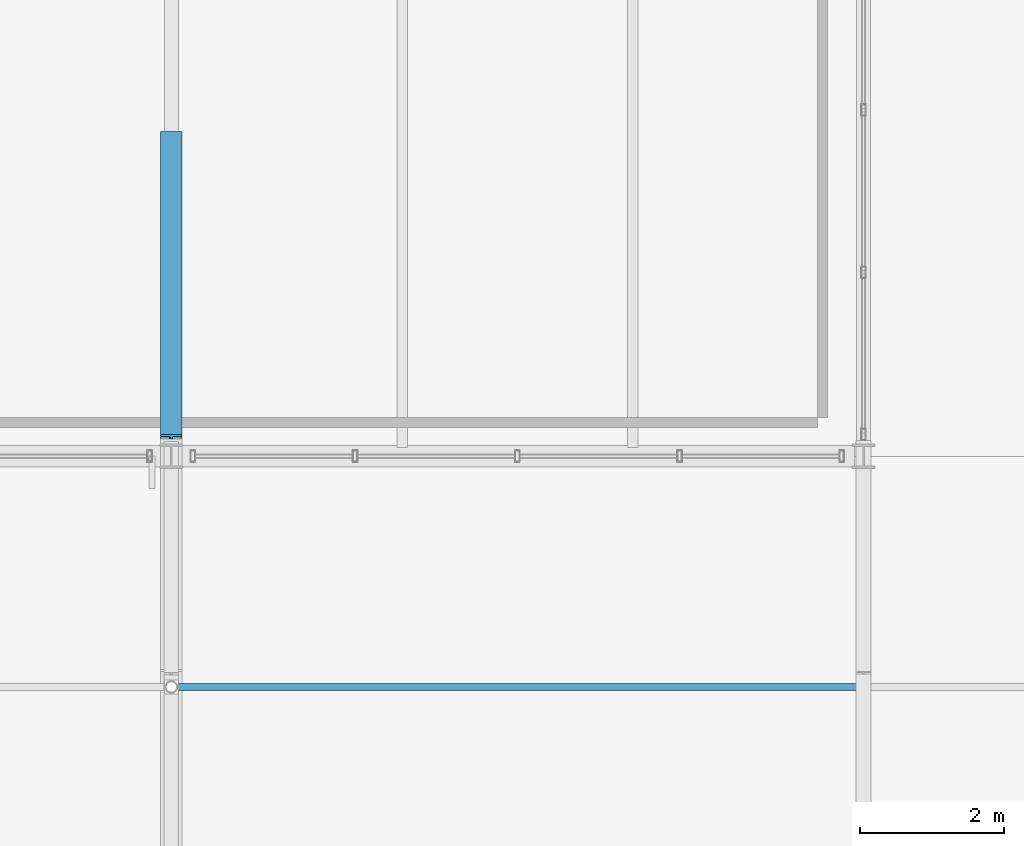
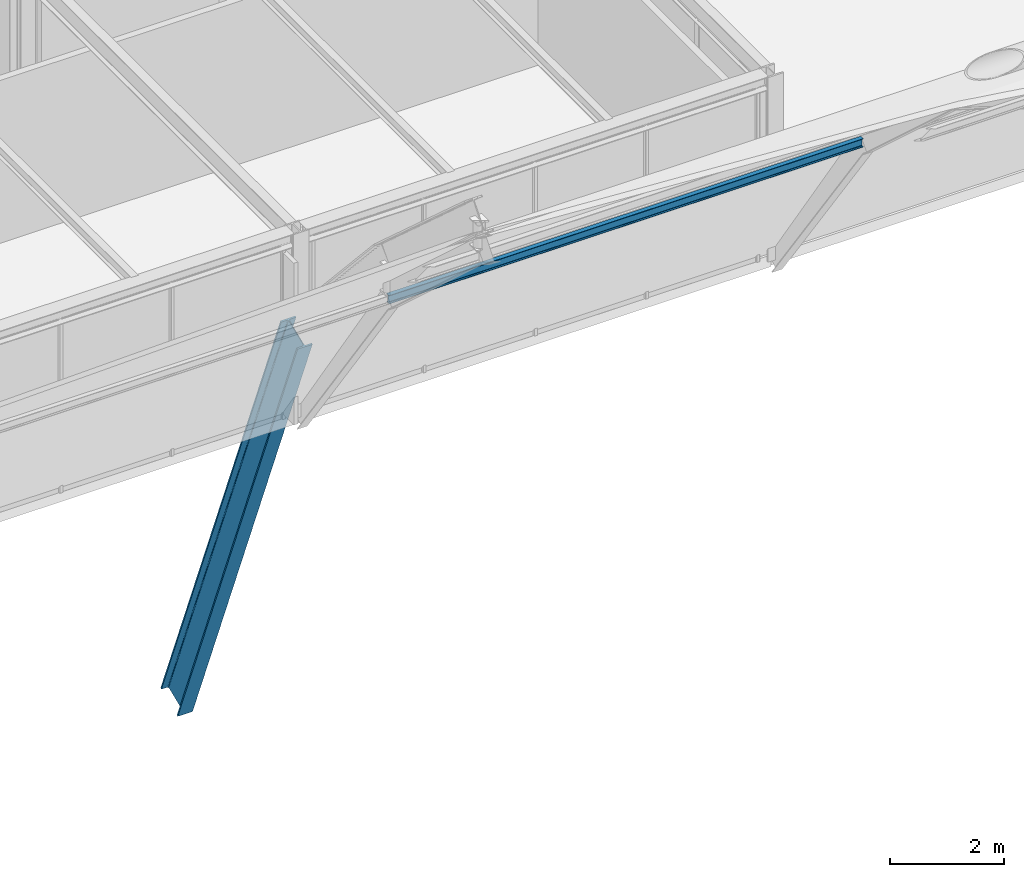
# One storey, part 83 of 126: 1 beam, 1 member.
"""IFC4 building model written with IfcOpenShell, lengths in metres."""

from ifc_helpers import new_model, si_unit, direction, frame, origin, origin_2d, place, context, subcontext, project, spatial, i_section, extrude, material, material_profile, profile_set, type_object, element, save


model = new_model("IFC4")

# Units and contexts
model_context = context("Model", 3, precision=1e-05, world=origin(), true_north=direction((0.0, 1.0)))
body_context = subcontext(model_context, "Body", "Model", "MODEL_VIEW")
ifc_project = project(units=[si_unit("LENGTHUNIT", "METRE"), si_unit("AREAUNIT", "SQUARE_METRE"), si_unit("VOLUMEUNIT", "CUBIC_METRE"), si_unit("PLANEANGLEUNIT", "RADIAN"), si_unit("MASSUNIT", "GRAM", prefix="KILO")], contexts=[model_context])

# Site, building, storey
site_placement = place(None, origin())
site = spatial("IfcSite", under=ifc_project, at=site_placement, CompositionType="ELEMENT")
building_placement = place(site_placement, origin())
building = spatial("IfcBuilding", under=site, at=building_placement, Name="Coralgate Yard Interchange", CompositionType="ELEMENT")
storey_placement = place(building_placement, frame((0.0, 0.0, 10.5)))
storey = spatial("IfcBuildingStorey", under=building, at=storey_placement, Name="L02", CompositionType="ELEMENT", Elevation=10.5)

# Beam
ifc_material_1 = material(Name="Yellow-ochre weather-coated structural steel S355J2", Category="steel")
ifc_material_profile_1 = material_profile(ifc_material_1, i_section(OverallWidth=0.300048828125, OverallDepth=0.64990234375, WebThickness=0.01611328125, FlangeThickness=0.031005859375, FilletRadius=0.027099609375, at=origin_2d()), Name="HEB 650")
ifc_profile_set_1 = profile_set([ifc_material_profile_1], Name="Yellow-ochre weather-coated structural steel S355J2")
beam_type = type_object("IfcBeamType", Name="BM-AR-1", PredefinedType="BEAM", material=ifc_profile_set_1)
beam_placement = place(storey_placement, frame((86.39990234375, 76.800048828125, 1.699951171875), z_axis=(0.0, 0.374462329793, -0.927242127799), x_axis=(-1.0, 0.0, 0.0)))
element("IfcBeam", 1, at=beam_placement, inside=storey, type_object=beam_type, Name="Yellow-ochre overarching steel arch AR-3 chord 14", PredefinedType="BEAM", context=body_context, shape_type="SweptSolid", body=[
    extrude(i_section(OverallWidth=0.300048828125, OverallDepth=0.64990234375, WebThickness=0.01611328125, FlangeThickness=0.031005859375, FilletRadius=0.027099609375, at=origin_2d()), origin(), (0.0, 0.0, 1.0), 11.216064453125),
])

# Member
ifc_material_2 = material(Name="Off-white architectural structural steel S355J2", Category="steel")
ifc_material_profile_2 = material_profile(ifc_material_2, i_section(OverallWidth=0.091064453125, OverallDepth=0.179931640625, WebThickness=0.00537109375, FlangeThickness=0.008056640625, FilletRadius=0.009033203125, at=origin_2d()), Name="IPE 180")
ifc_profile_set_2 = profile_set([ifc_material_profile_2], Name="Off-white architectural structural steel S355J2")
member_type = type_object("IfcMemberType", Name="MB-PR-2", PredefinedType="PURLIN", material=ifc_profile_set_2)
member_placement = place(storey_placement, frame((86.402099609375, 73.60009765625, 4.3662109375), z_axis=(1.0, 0.0, 0.0), x_axis=(0.0, 1.0, 0.0)))
element("IfcMember", 2, at=member_placement, inside=storey, type_object=member_type, Name="Barrel-vault gridshell purlin 6-12", PredefinedType="PURLIN", context=body_context, shape_type="SweptSolid", body=[
    extrude(i_section(OverallWidth=0.091064453125, OverallDepth=0.179931640625, WebThickness=0.00537109375, FlangeThickness=0.008056640625, FilletRadius=0.009033203125, at=origin_2d()), origin(), (0.0, 0.0, 1.0), 9.595947265625),
])

save(model, "model.ifc")
